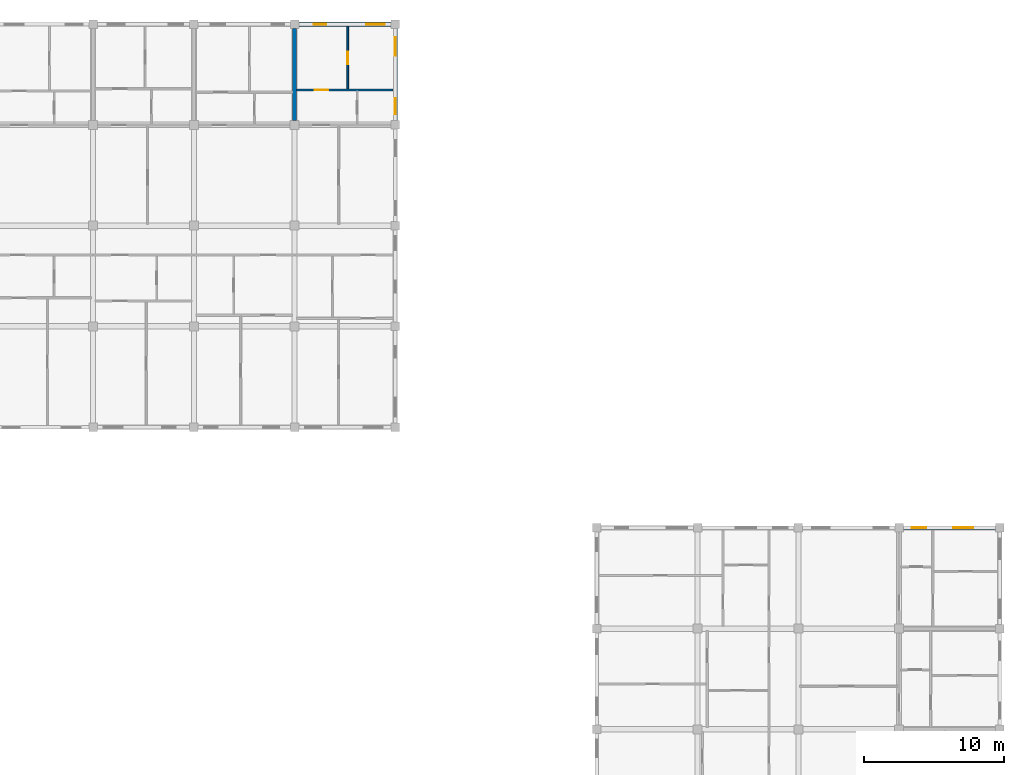
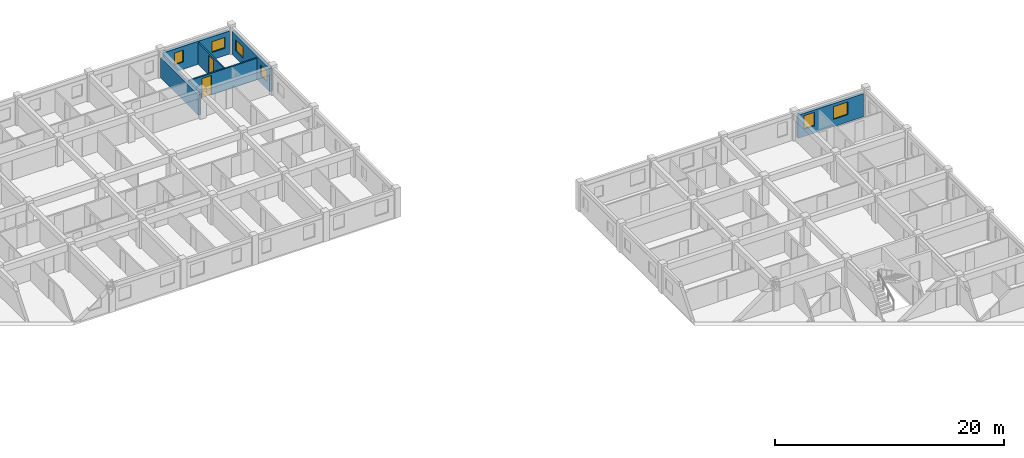
# One storey, part 41 of 50: 6 walls, 6 windows, 2 doors, 8 openings.
"""IFC4 building model written with IfcOpenShell, lengths in metres."""

from ifc_helpers import new_model, si_unit, direction, frame, frame_2d, origin, place, context, subcontext, project, spatial, rectangle, extrude, material, layer, layer_set, type_object, element, fill, save


model = new_model("IFC4")

# Units and contexts
model_context = context("Model", 3, precision=1e-05, world=origin(), true_north=direction((0.0, 1.0)))
body_context = subcontext(model_context, "Body", "Model", "MODEL_VIEW")
ifc_project = project(units=[si_unit("LENGTHUNIT", "METRE"), si_unit("AREAUNIT", "SQUARE_METRE"), si_unit("VOLUMEUNIT", "CUBIC_METRE"), si_unit("PLANEANGLEUNIT", "RADIAN"), si_unit("MASSUNIT", "GRAM", prefix="KILO"), si_unit("THERMODYNAMICTEMPERATUREUNIT", "KELVIN"), si_unit("POWERUNIT", "WATT")], contexts=[model_context])

# Site, building, storey
site_placement = place(None, origin())
site = spatial("IfcSite", under=ifc_project, at=site_placement, CompositionType="ELEMENT")
building_placement = place(site_placement, origin())
building = spatial("IfcBuilding", under=site, at=building_placement, Name="Tavuni Mirador Residences", CompositionType="ELEMENT")
storey_placement = place(building_placement, frame((0.0, 0.0, 4.5)))
storey = spatial("IfcBuildingStorey", under=building, at=storey_placement, Name="L01", CompositionType="ELEMENT", Elevation=4.5)

# Wall, openings, windows
ifc_material_1 = material(Name="Sgraffito lime-rendered precast concrete C40/50", Category="concrete")
ifc_layer_1 = layer(ifc_material_1, 0.27490234375, Name="Sgraffito lime-rendered precast concrete C40/50", Category="concrete")
ifc_layer_set_1 = layer_set([ifc_layer_1], Name="Sgraffito lime-rendered precast concrete C40/50")
wall_type_1 = type_object("IfcWallType", Name="WT-EXT-PC275", PredefinedType="SOLIDWALL", material=ifc_layer_set_1)
wall_1_placement = place(storey_placement, frame((75.60009765625, 165.89990234375, 0.0), z_axis=(0.0, 0.0, 1.0), x_axis=(0.0, 1.0, 0.0)))
wall_1 = element("IfcWall", 1, at=wall_1_placement, inside=storey, type_object=wall_type_1, Name="EW-BLK-C-L01-E03", PredefinedType="SOLIDWALL", context=body_context, shape_type="SweptSolid", body=[
    extrude(rectangle(XDim=6.60009765625, YDim=0.27490234375, at=frame_2d((3.300048828125, 0.0))), origin(), (0.0, 0.0, 1.0), 2.455078125),
])
opening_1_placement = place(wall_1_placement, frame((0.449951171875, 0.0, 0.780029296875)))
opening_1 = element("IfcOpeningElement", 2, at=opening_1_placement, cuts=wall_1, Name="Opening WN-05", PredefinedType="OPENING", context=body_context, shape_type="SweptSolid", body=[
    extrude(rectangle(XDim=1.159912109375, YDim=1.14990234375, at=frame_2d((0.580078125, 0.574951171875))), frame((0.0, 0.1474609375, 0.0), z_axis=(0.0, -1.0, 0.0), x_axis=(1.0, 0.0, 0.0)), (0.0, 0.0, 1.0), 0.294921875),
])
opening_2_placement = place(wall_1_placement, frame((4.64990234375, 0.0, 0.780029296875)))
opening_2 = element("IfcOpeningElement", 3, at=opening_2_placement, cuts=wall_1, Name="Opening WN-07", PredefinedType="OPENING", context=body_context, shape_type="SweptSolid", body=[
    extrude(rectangle(XDim=1.320068359375, YDim=1.14990234375, at=frame_2d((0.66015625, 0.574951171875))), frame((0.0, 0.1474609375, 0.0), z_axis=(0.0, -1.0, 0.0), x_axis=(1.0, 0.0, 0.0)), (0.0, 0.0, 1.0), 0.294921875),
])
ifc_material_2 = material(Name="Laminated solar-control glass", Category="glass")
window_type_1 = type_object("IfcWindowType", Name="WNT-05", PartitioningType="SINGLE_PANEL", PredefinedType="WINDOW", material=ifc_material_2)
window_1_placement = place(opening_1_placement, origin())
window_1 = element("IfcWindow", 4, at=window_1_placement, inside=storey, type_object=window_type_1, Name="WIN-0873", OverallHeight=1.14990234375, OverallWidth=1.159912109375, PartitioningType="SINGLE_PANEL", PredefinedType="WINDOW", context=body_context, shape_type="SweptSolid", body=[
    extrude(rectangle(XDim=1.159912109375, YDim=1.14990234375, at=frame_2d((0.580078125, 0.574951171875))), frame((0.0, 0.030029296875, 0.0), z_axis=(0.0, -1.0, 0.0), x_axis=(1.0, 0.0, 0.0)), (0.0, 0.0, 1.0), 0.06005859375),
])
fill(opening_1, window_1)
window_type_2 = type_object("IfcWindowType", Name="WNT-07", PartitioningType="SINGLE_PANEL", PredefinedType="WINDOW", material=ifc_material_2)
window_2_placement = place(opening_2_placement, origin())
window_2 = element("IfcWindow", 5, at=window_2_placement, inside=storey, type_object=window_type_2, Name="WIN-0874", OverallHeight=1.14990234375, OverallWidth=1.320068359375, PartitioningType="SINGLE_PANEL", PredefinedType="WINDOW", context=body_context, shape_type="SweptSolid", body=[
    extrude(rectangle(XDim=1.320068359375, YDim=1.14990234375, at=frame_2d((0.66015625, 0.574951171875))), frame((0.0, 0.030029296875, 0.0), z_axis=(0.0, -1.0, 0.0), x_axis=(1.0, 0.0, 0.0)), (0.0, 0.0, 1.0), 0.06005859375),
])
fill(opening_2, window_2)

wall_2_placement = place(storey_placement, frame((118.5, 136.800048828125, 0.0), z_axis=(0.0, 0.0, 1.0), x_axis=(-1.0, 0.0, 0.0)))
wall_2 = element("IfcWall", 6, at=wall_2_placement, inside=storey, type_object=wall_type_1, Name="EW-BLK-D-L01-N03", PredefinedType="SOLIDWALL", context=body_context, shape_type="SweptSolid", body=[
    extrude(rectangle(XDim=6.60009765625, YDim=0.27490234375, at=frame_2d((3.300048828125, 0.0))), origin(), (0.0, 0.0, 1.0), 2.4599609375),
])
opening_3_placement = place(wall_2_placement, frame((1.580078125, 0.0, 0.780029296875)))
opening_3 = element("IfcOpeningElement", 7, at=opening_3_placement, cuts=wall_2, Name="Opening WN-24", PredefinedType="OPENING", context=body_context, shape_type="SweptSolid", body=[
    extrude(rectangle(XDim=1.4599609375, YDim=1.360107421875, at=frame_2d((0.72998046875, 0.68017578125))), frame((0.0, 0.1474609375, 0.0), z_axis=(0.0, -1.0, 0.0), x_axis=(1.0, 0.0, 0.0)), (0.0, 0.0, 1.0), 0.294921875),
])
opening_4_placement = place(wall_2_placement, frame((4.945068359375, 0.0, 0.780029296875)))
opening_4 = element("IfcOpeningElement", 8, at=opening_4_placement, cuts=wall_2, Name="Opening WN-26", PredefinedType="OPENING", context=body_context, shape_type="SweptSolid", body=[
    extrude(rectangle(XDim=1.050048828125, YDim=1.43994140625, at=frame_2d((0.52490234375, 0.719970703125))), frame((0.0, 0.1474609375, 0.0), z_axis=(0.0, -1.0, 0.0), x_axis=(1.0, 0.0, 0.0)), (0.0, 0.0, 1.0), 0.294921875),
])
window_type_3 = type_object("IfcWindowType", Name="WNT-24", PartitioningType="SINGLE_PANEL", PredefinedType="WINDOW", material=ifc_material_2)
window_3_placement = place(opening_3_placement, origin())
window_3 = element("IfcWindow", 9, at=window_3_placement, inside=storey, type_object=window_type_3, Name="WIN-1462", OverallHeight=1.360107421875, OverallWidth=1.4599609375, PartitioningType="SINGLE_PANEL", PredefinedType="WINDOW", context=body_context, shape_type="SweptSolid", body=[
    extrude(rectangle(XDim=1.4599609375, YDim=1.360107421875, at=frame_2d((0.72998046875, 0.68017578125))), frame((0.0, 0.030029296875, 0.0), z_axis=(0.0, -1.0, 0.0), x_axis=(1.0, 0.0, 0.0)), (0.0, 0.0, 1.0), 0.06005859375),
])
fill(opening_3, window_3)
window_type_4 = type_object("IfcWindowType", Name="WNT-26", PartitioningType="SINGLE_PANEL", PredefinedType="WINDOW", material=ifc_material_2)
window_4_placement = place(opening_4_placement, origin())
window_4 = element("IfcWindow", 10, at=window_4_placement, inside=storey, type_object=window_type_4, Name="WIN-1463", OverallHeight=1.43994140625, OverallWidth=1.050048828125, PartitioningType="SINGLE_PANEL", PredefinedType="WINDOW", context=body_context, shape_type="SweptSolid", body=[
    extrude(rectangle(XDim=1.050048828125, YDim=1.43994140625, at=frame_2d((0.52490234375, 0.719970703125))), frame((0.0, 0.030029296875, 0.0), z_axis=(0.0, -1.0, 0.0), x_axis=(1.0, 0.0, 0.0)), (0.0, 0.0, 1.0), 0.06005859375),
])
fill(opening_4, window_4)

ifc_layer_2 = layer(ifc_material_1, 0.304931640625, Name="Sgraffito lime-rendered precast concrete C40/50", Category="concrete")
ifc_layer_set_2 = layer_set([ifc_layer_2], Name="Sgraffito lime-rendered precast concrete C40/50")
wall_type_2 = type_object("IfcWallType", Name="WT-EXT-PC305", PredefinedType="SOLIDWALL", material=ifc_layer_set_2)
wall_3_placement = place(storey_placement, frame((75.300048828125, 172.800048828125, 0.0), z_axis=(0.0, 0.0, 1.0), x_axis=(-1.0, 0.0, 0.0)))
wall_3 = element("IfcWall", 11, at=wall_3_placement, inside=storey, type_object=wall_type_2, Name="EW-BLK-C-L01-N08", PredefinedType="SOLIDWALL", context=body_context, shape_type="SweptSolid", body=[
    extrude(rectangle(XDim=6.60009765625, YDim=0.304931640625, at=frame_2d((3.300048828125, 0.0))), origin(), (0.0, 0.0, 1.0), 2.455078125),
])
opening_5_placement = place(wall_3_placement, frame((0.449951171875, 0.0, 0.780029296875)))
opening_5 = element("IfcOpeningElement", 12, at=opening_5_placement, cuts=wall_3, Name="Opening WN-07", PredefinedType="OPENING", context=body_context, shape_type="SweptSolid", body=[
    extrude(rectangle(XDim=1.320068359375, YDim=1.14990234375, at=frame_2d((0.66015625, 0.574951171875))), frame((0.0, 0.16259765625, 0.0), z_axis=(0.0, -1.0, 0.0), x_axis=(1.0, 0.0, 0.0)), (0.0, 0.0, 1.0), 0.324951171875),
])
opening_6_placement = place(wall_3_placement, frame((4.64990234375, 0.0, 0.780029296875)))
opening_6 = element("IfcOpeningElement", 13, at=opening_6_placement, cuts=wall_3, Name="Opening WN-09", PredefinedType="OPENING", context=body_context, shape_type="SweptSolid", body=[
    extrude(rectangle(XDim=0.8798828125, YDim=1.260009765625, at=frame_2d((0.43994140625, 0.6298828125))), frame((0.0, 0.16259765625, 0.0), z_axis=(0.0, -1.0, 0.0), x_axis=(1.0, 0.0, 0.0)), (0.0, 0.0, 1.0), 0.324951171875),
])
window_5_placement = place(opening_5_placement, origin())
window_5 = element("IfcWindow", 14, at=window_5_placement, inside=storey, type_object=window_type_2, Name="WIN-0875", OverallHeight=1.14990234375, OverallWidth=1.320068359375, PartitioningType="SINGLE_PANEL", PredefinedType="WINDOW", context=body_context, shape_type="SweptSolid", body=[
    extrude(rectangle(XDim=1.320068359375, YDim=1.14990234375, at=frame_2d((0.66015625, 0.574951171875))), frame((0.0, 0.030029296875, 0.0), z_axis=(0.0, -1.0, 0.0), x_axis=(1.0, 0.0, 0.0)), (0.0, 0.0, 1.0), 0.06005859375),
])
fill(opening_5, window_5)
window_type_5 = type_object("IfcWindowType", Name="WNT-09", PartitioningType="SINGLE_PANEL", PredefinedType="WINDOW", material=ifc_material_2)
window_6_placement = place(opening_6_placement, origin())
window_6 = element("IfcWindow", 15, at=window_6_placement, inside=storey, type_object=window_type_5, Name="WIN-0876", OverallHeight=1.260009765625, OverallWidth=0.8798828125, PartitioningType="SINGLE_PANEL", PredefinedType="WINDOW", context=body_context, shape_type="SweptSolid", body=[
    extrude(rectangle(XDim=0.8798828125, YDim=1.260009765625, at=frame_2d((0.43994140625, 0.6298828125))), frame((0.0, 0.030029296875, 0.0), z_axis=(0.0, -1.0, 0.0), x_axis=(1.0, 0.0, 0.0)), (0.0, 0.0, 1.0), 0.06005859375),
])
fill(opening_6, window_6)

# Wall, opening, door
ifc_material_3 = material(Name="Acoustic gypsum and concrete block partition", Category="concrete")
ifc_layer_3 = layer(ifc_material_3, 0.125, Name="Acoustic gypsum and concrete block partition", Category="concrete")
ifc_layer_set_3 = layer_set([ifc_layer_3], Name="Acoustic gypsum and concrete block partition")
wall_type_3 = type_object("IfcWallType", Name="WT-PART125", PredefinedType="PARTITIONING", material=ifc_layer_set_3)
wall_4_placement = place(storey_placement, frame((72.199951171875, 168.169921875, 0.0), z_axis=(0.0, 0.0, 1.0), x_axis=(0.0, 1.0, 0.0)))
wall_4 = element("IfcWall", 16, at=wall_4_placement, inside=storey, type_object=wall_type_3, Name="PW-BLK-C-L01-N08-OUT", PredefinedType="PARTITIONING", context=body_context, shape_type="SweptSolid", body=[
    extrude(rectangle(XDim=4.455078125, YDim=0.125, at=frame_2d((2.2275390625, 0.0))), origin(), (0.0, 0.0, 1.0), 2.320068359375),
])
opening_7_placement = place(wall_4_placement, frame((1.777587890625, 0.0, 0.0)))
opening_7 = element("IfcOpeningElement", 17, at=opening_7_placement, cuts=wall_4, Name="Opening D-07", PredefinedType="OPENING", context=body_context, shape_type="SweptSolid", body=[
    extrude(rectangle(XDim=0.89990234375, YDim=2.10009765625, at=frame_2d((0.449951171875, 1.050048828125))), frame((0.0, 0.072509765625, 0.0), z_axis=(0.0, -1.0, 0.0), x_axis=(1.0, 0.0, 0.0)), (0.0, 0.0, 1.0), 0.14501953125),
])
ifc_material_4 = material(Name="Solid core iroko timber", Category="wood")
door_type_1 = type_object("IfcDoorType", Name="DT-BED900", OperationType="NOTDEFINED", PredefinedType="DOOR", material=ifc_material_4)
door_1_placement = place(opening_7_placement, origin())
door_1 = element("IfcDoor", 18, at=door_1_placement, inside=storey, type_object=door_type_1, Name="DR-3736", OperationType="SINGLE_SWING_RIGHT", OverallHeight=2.10009765625, OverallWidth=0.89990234375, PredefinedType="DOOR", context=body_context, shape_type="SweptSolid", body=[
    extrude(rectangle(XDim=0.89990234375, YDim=2.10009765625, at=frame_2d((0.449951171875, 1.050048828125))), frame((0.0, 0.02490234375, 0.0), z_axis=(0.0, -1.0, 0.0), x_axis=(1.0, 0.0, 0.0)), (0.0, 0.0, 1.0), 0.050048828125),
])
fill(opening_7, door_1)

ifc_layer_4 = layer(ifc_material_3, 0.14990234375, Name="Acoustic gypsum and concrete block partition", Category="concrete")
ifc_layer_set_4 = layer_set([ifc_layer_4], Name="Acoustic gypsum and concrete block partition")
wall_type_4 = type_object("IfcWallType", Name="WT-PART150", PredefinedType="PARTITIONING", material=ifc_layer_set_4)
wall_5_placement = place(storey_placement, frame((68.5400390625, 168.10009765625, 0.0), z_axis=(0.0, 0.0, 1.0), x_axis=(1.0, 0.0, 0.0)))
wall_5 = element("IfcWall", 19, at=wall_5_placement, inside=storey, type_object=wall_type_4, Name="PW-BLK-C-L01-N08-MID", PredefinedType="PARTITIONING", context=body_context, shape_type="SweptSolid", body=[
    extrude(rectangle(XDim=6.885009765625, YDim=0.14990234375, at=frame_2d((3.4423828125, 0.0))), origin(), (0.0, 0.0, 1.0), 2.320068359375),
])
opening_8_placement = place(wall_5_placement, frame((1.31005859375, 0.0, 0.0)))
opening_8 = element("IfcOpeningElement", 20, at=opening_8_placement, cuts=wall_5, Name="Opening D-05", PredefinedType="OPENING", context=body_context, shape_type="SweptSolid", body=[
    extrude(rectangle(XDim=0.949951171875, YDim=2.10009765625, at=frame_2d((0.47509765625, 1.050048828125))), frame((0.0, 0.0849609375, 0.0), z_axis=(0.0, -1.0, 0.0), x_axis=(1.0, 0.0, 0.0)), (0.0, 0.0, 1.0), 0.169921875),
])
door_type_2 = type_object("IfcDoorType", Name="DT-INT950", OperationType="NOTDEFINED", PredefinedType="DOOR", material=ifc_material_4)
door_2_placement = place(opening_8_placement, origin())
door_2 = element("IfcDoor", 21, at=door_2_placement, inside=storey, type_object=door_type_2, Name="DR-3738", OperationType="SINGLE_SWING_LEFT", OverallHeight=2.10009765625, OverallWidth=0.949951171875, PredefinedType="DOOR", context=body_context, shape_type="SweptSolid", body=[
    extrude(rectangle(XDim=0.949951171875, YDim=2.10009765625, at=frame_2d((0.47509765625, 1.050048828125))), frame((0.0, 0.02490234375, 0.0), z_axis=(0.0, -1.0, 0.0), x_axis=(1.0, 0.0, 0.0)), (0.0, 0.0, 1.0), 0.050048828125),
])
fill(opening_8, door_2)

# Wall
ifc_material_5 = material(Name="Precast concrete C40/50", Category="concrete")
ifc_layer_5 = layer(ifc_material_5, 0.264892578125, Name="Precast concrete C40/50", Category="concrete")
ifc_layer_set_5 = layer_set([ifc_layer_5], Name="Precast concrete C40/50")
wall_type_5 = type_object("IfcWallType", Name="WT-XW265", PredefinedType="SOLIDWALL", material=ifc_layer_set_5)
wall_6_placement = place(storey_placement, frame((68.39990234375, 165.925048828125, 0.0), z_axis=(0.0, 0.0, 1.0), x_axis=(0.0, 1.0, 0.0)))
element("IfcWall", 22, at=wall_6_placement, inside=storey, type_object=wall_type_5, Name="XW-BLK-C-L01-N-08", PredefinedType="SOLIDWALL", context=body_context, shape_type="SweptSolid", body=[
    extrude(rectangle(XDim=6.574951171875, YDim=0.264892578125, at=frame_2d((3.28759765625, 0.0))), origin(), (0.0, 0.0, 1.0), 2.18505859375),
])

save(model, "model.ifc")
